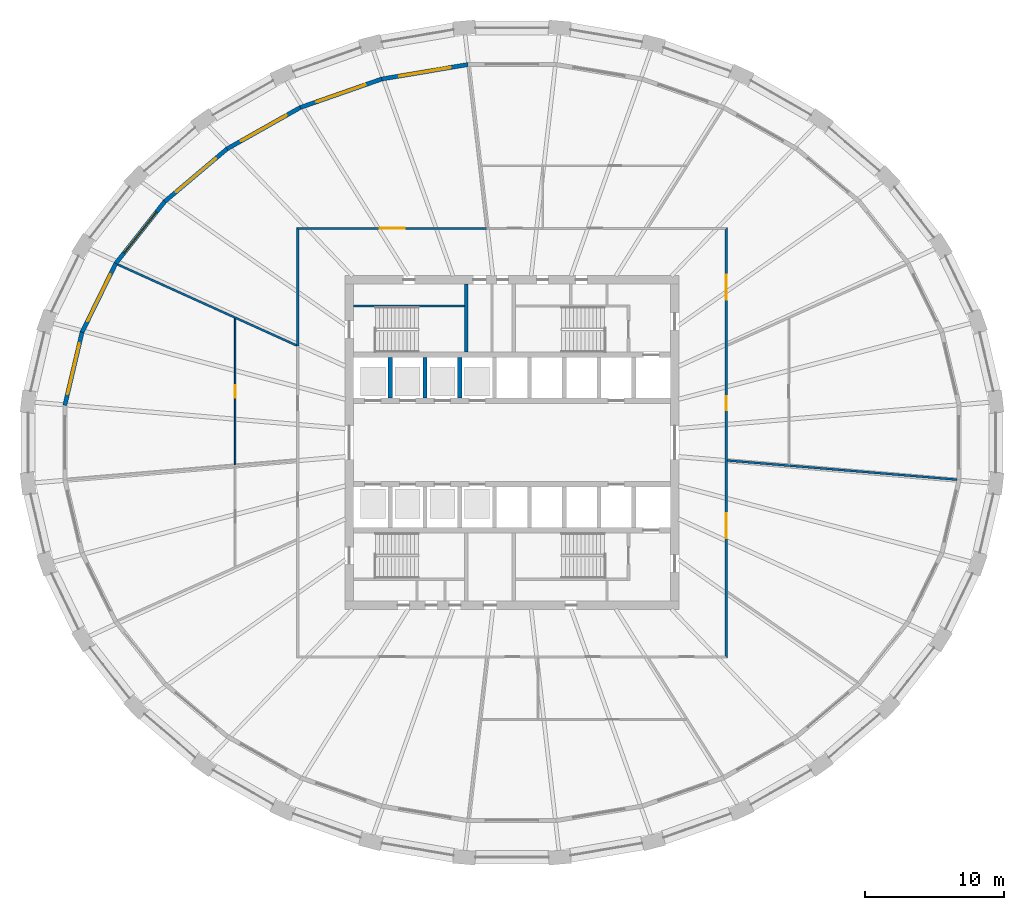
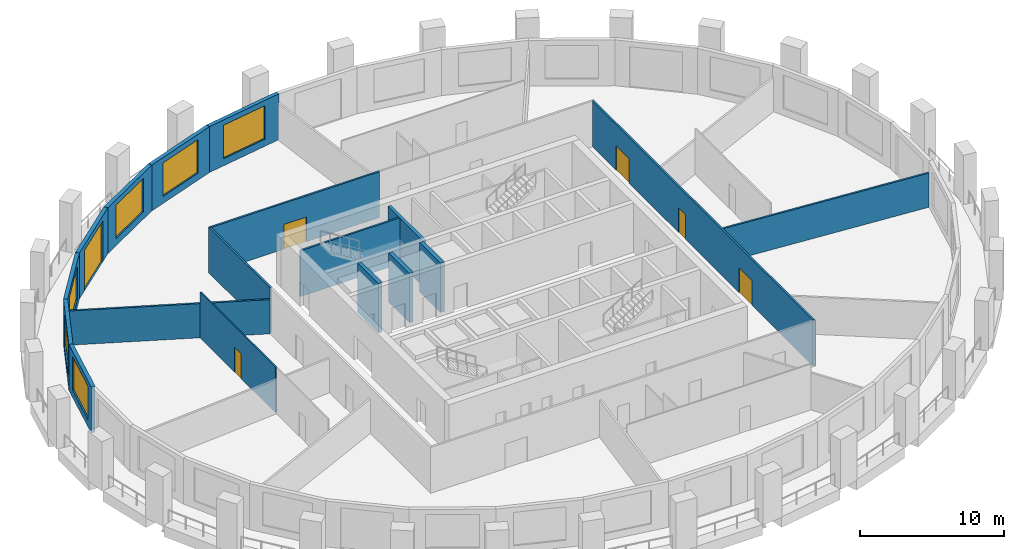
# One storey, part 5 of 10: 18 walls, 6 doors, 6 windows, 12 openings.
"""IFC4 building model written with IfcOpenShell, lengths in metres."""

import ifcopenshell
import ifcopenshell.guid

model = None  # the IFC model being written
_history = None  # IfcOwnerHistory: only IFC2X3 demands one
_inside = {}  # id of a spatial element -> (the spatial element, [elements in it])
_under = {}  # id of a project, library or spatial element -> (it, [spatial elements below it])
_declared = {}  # id of a project -> (the project, [libraries it declares])
_typed = {}  # id of a type object -> (the type object, [elements of that type])
_made_of = {}  # id of a material, layer set ... -> (it, [elements and type objects made of it])


def new_model(schema):
    """Start an empty IFC model of exactly this schema.

    Asked for "IFC4X3", IfcOpenShell would pick the latest addendum, in which some entities
    have other attributes; the version numbers below select the first issue.
    IFC2X3 requires an IfcOwnerHistory on every rooted entity: one is made here for all.
    """
    global model, _history
    if schema == "IFC4X3":
        model = ifcopenshell.file(schema_version=(4, 3, 0, 0))
    else:
        model = ifcopenshell.file(schema=schema)
    _inside.clear()
    _under.clear()
    _declared.clear()
    _typed.clear()
    _made_of.clear()
    _history = None
    if model.schema == "IFC2X3":
        org = make("IfcOrganization", Name="unknown")
        user = make(
            "IfcPersonAndOrganization",
            ThePerson=make("IfcPerson", FamilyName="unknown"),
            TheOrganization=org,
        )
        app = make(
            "IfcApplication",
            ApplicationDeveloper=org,
            Version="unknown",
            ApplicationFullName="unknown",
            ApplicationIdentifier="unknown",
        )
        _history = make(
            "IfcOwnerHistory",
            OwningUser=user,
            OwningApplication=app,
            ChangeAction="ADDED",
            CreationDate=0,
        )
    return model


def make(cls, **values):
    """One entity of the class cls with the attributes given. An attribute that is None is left unset."""
    return model.create_entity(
        cls, **{name: value for name, value in values.items() if value is not None}
    )


def rooted(cls, **values):
    """An entity with a GlobalId (a new one), such as an element, a storey or a relation."""
    return make(cls, GlobalId=ifcopenshell.guid.new(), OwnerHistory=_history, **values)


def si_unit(unit_type, name, prefix=None):
    """IfcSIUnit, for example si_unit("LENGTHUNIT", "METRE", prefix="MILLI")."""
    return make("IfcSIUnit", UnitType=unit_type, Prefix=prefix, Name=name)


def assignment(units):
    """IfcUnitAssignment: the units of a project."""
    return None if units is None else make("IfcUnitAssignment", Units=units)


def point(xyz):
    """IfcCartesianPoint."""
    return None if xyz is None else make("IfcCartesianPoint", Coordinates=xyz)


def direction(xyz):
    """IfcDirection."""
    return None if xyz is None else make("IfcDirection", DirectionRatios=xyz)


def frame(location, z_axis=None, x_axis=None):
    """IfcAxis2Placement3D, a coordinate frame: its origin and axes. An axis left out is left unset."""
    return make(
        "IfcAxis2Placement3D",
        Location=point(location),
        Axis=direction(z_axis),
        RefDirection=direction(x_axis),
    )


def frame_2d(location, x_axis=None):
    """IfcAxis2Placement2D, a coordinate frame in the plane: its origin and x axis."""
    return make(
        "IfcAxis2Placement2D", Location=point(location), RefDirection=direction(x_axis)
    )


def origin():
    """The frame at (0, 0, 0) with its axes left unset."""
    return frame((0.0, 0.0, 0.0))


def place(relative_to, where):
    """IfcLocalPlacement: puts the frame where relative to a parent placement (None: the world)."""
    return make(
        "IfcLocalPlacement", PlacementRelTo=relative_to, RelativePlacement=where
    )


def context(
    kind, dimensions, precision=None, world=None, true_north=None, identifier=None
):
    """IfcGeometricRepresentationContext, for example the 3D "Model" context."""
    return make(
        "IfcGeometricRepresentationContext",
        ContextIdentifier=identifier,
        ContextType=kind,
        CoordinateSpaceDimension=dimensions,
        Precision=precision,
        WorldCoordinateSystem=world,
        TrueNorth=true_north,
    )


def subcontext(parent, identifier, kind, view, scale=None):
    """IfcGeometricRepresentationSubContext, for example "Body" below "Model"."""
    return make(
        "IfcGeometricRepresentationSubContext",
        ContextIdentifier=identifier,
        ContextType=kind,
        ParentContext=parent,
        TargetScale=scale,
        TargetView=view,
    )


def project(units=None, contexts=None):
    """IfcProject with its units and contexts."""
    return rooted(
        "IfcProject",
        Name="project",
        RepresentationContexts=contexts,
        UnitsInContext=assignment(units),
    )


def spatial(cls, under=None, at=None, **own):
    """A site, building, storey or space (cls), placed at a placement, below another one or the project."""
    s = rooted(cls, ObjectPlacement=at, **own)
    if under is not None:
        _under.setdefault(under.id(), (under, []))[1].append(s)
    return s


def polyline(points):
    """IfcPolyline through the points."""
    return make("IfcPolyline", Points=[point(p) for p in points])


def profile(cls, at=None, kind="AREA", **sizes):
    """A parametric profile (cls). Its sizes go by their IFC names, for example OverallWidth=200.0."""
    return make(cls, ProfileType=kind, Position=at, **sizes)


def rectangle(**sizes):
    """IfcRectangleProfileDef."""
    return profile("IfcRectangleProfileDef", **sizes)


def outline(outer, holes=None, kind="AREA"):
    """IfcArbitraryClosedProfileDef: a profile drawn as a closed curve; with holes, ...WithVoids."""
    if holes is None:
        return make("IfcArbitraryClosedProfileDef", ProfileType=kind, OuterCurve=outer)
    return make(
        "IfcArbitraryProfileDefWithVoids",
        ProfileType=kind,
        OuterCurve=outer,
        InnerCurves=holes,
    )


def extrude(swept, where, along, depth):
    """IfcExtrudedAreaSolid: the profile swept, set in the frame where, extruded along a direction by depth."""
    return make(
        "IfcExtrudedAreaSolid",
        SweptArea=swept,
        Position=where,
        ExtrudedDirection=direction(along),
        Depth=depth,
    )


def shape(context_of_items, identifier, shape_type, items):
    """IfcShapeRepresentation: the items that make up one representation, for example the "Body"."""
    return make(
        "IfcShapeRepresentation",
        ContextOfItems=context_of_items,
        RepresentationIdentifier=identifier,
        RepresentationType=shape_type,
        Items=items,
    )


def material(Name=None, Category=None):
    """IfcMaterial."""
    return make("IfcMaterial", Name=Name, Category=Category)


def layer(
    of_material, thickness, ventilated=None, Name=None, Category=None, Priority=None
):
    """IfcMaterialLayer: one layer of a wall or slab, of a material (None: an air gap)."""
    return make(
        "IfcMaterialLayer",
        Material=of_material,
        LayerThickness=thickness,
        IsVentilated=ventilated,
        Name=Name,
        Category=Category,
        Priority=Priority,
    )


def layer_set(layers, Name=None):
    """IfcMaterialLayerSet."""
    return make("IfcMaterialLayerSet", MaterialLayers=layers, LayerSetName=Name)


def made_of(thing, what):
    """Note that an element or type object is made of a material, layer set ...; save() writes the relation."""
    if what is not None:
        _made_of.setdefault(what.id(), (what, []))[1].append(thing)
    return thing


def type_object(cls, material=None, **own):
    """A type object (cls), such as IfcWallType, which elements share."""
    return made_of(rooted(cls, **own), material)


def element(
    cls,
    number,
    at=None,
    inside=None,
    cuts=None,
    type_object=None,
    material=None,
    context=None,
    identifier="Body",
    shape_type=None,
    held_by="IfcProductDefinitionShape",
    body=None,
    shapes=None,
    **own,
):
    """One element of the class cls, such as IfcWall. Its Tag is "e" and its number.

    at: its placement. inside: the storey or other place that contains it. cuts: it is an
    opening in that element (IfcRelVoidsElement). A single representation is given by context,
    identifier, shape_type and body (its items); several are given by shapes. held_by: the class
    of the entity that holds the representations. save() writes the other relations.
    """
    e = rooted(cls, Tag="e%d" % number, ObjectPlacement=at, **own)
    if body is not None:
        shapes = [shape(context, identifier, shape_type, body)]
    if shapes is not None:
        e.Representation = make(held_by, Representations=shapes)
    if inside is not None:
        _inside.setdefault(inside.id(), (inside, []))[1].append(e)
    if cuts is not None:
        rooted(
            "IfcRelVoidsElement", RelatingBuildingElement=cuts, RelatedOpeningElement=e
        )
    if type_object is not None:
        _typed.setdefault(type_object.id(), (type_object, []))[1].append(e)
    return made_of(e, material)


def fill(opening, filler):
    """IfcRelFillsElement: the door or window that sits in an opening."""
    return rooted(
        "IfcRelFillsElement",
        RelatingOpeningElement=opening,
        RelatedBuildingElement=filler,
    )


def aggregate(whole, parts):
    """IfcRelAggregates: a whole, such as a stair, and the parts it consists of."""
    return rooted("IfcRelAggregates", RelatingObject=whole, RelatedObjects=parts)


def save(model, path):
    """Write the relations noted so far, then the file.

    IfcRelAggregates (storeys below a building ...), IfcRelContainedInSpatialStructure (elements
    in a storey), IfcRelDefinesByType, IfcRelAssociatesMaterial and IfcRelDeclares: one each for
    every whole, place, type object, material and project.
    """
    for whole, parts in _under.values():
        aggregate(whole, parts)
    for where, things in _inside.values():
        rooted(
            "IfcRelContainedInSpatialStructure",
            RelatedElements=things,
            RelatingStructure=where,
        )
    for kind, things in _typed.values():
        rooted("IfcRelDefinesByType", RelatedObjects=things, RelatingType=kind)
    for what, things in _made_of.values():
        rooted("IfcRelAssociatesMaterial", RelatedObjects=things, RelatingMaterial=what)
    for by, libraries in _declared.values():
        rooted("IfcRelDeclares", RelatingContext=by, RelatedDefinitions=libraries)
    model.write(path)


model = new_model("IFC4")

# Units and contexts
model_context = context("Model", 3, precision=1e-05, world=origin(), true_north=direction((0.0, 1.0)))
body_context = subcontext(model_context, "Body", "Model", "MODEL_VIEW")
ifc_project = project(units=[si_unit("LENGTHUNIT", "METRE"), si_unit("AREAUNIT", "SQUARE_METRE"), si_unit("VOLUMEUNIT", "CUBIC_METRE"), si_unit("PLANEANGLEUNIT", "RADIAN"), si_unit("MASSUNIT", "GRAM", prefix="KILO")], contexts=[model_context])

# Site, building, storey
site_placement = place(None, origin())
site = spatial("IfcSite", under=ifc_project, at=site_placement, CompositionType="ELEMENT")
building_placement = place(site_placement, origin())
building = spatial("IfcBuilding", under=site, at=building_placement, Name="Halqa Exchange Tower", CompositionType="ELEMENT")
storey_placement = place(building_placement, frame((0.0, 0.0, 117.10009765625)))
storey = spatial("IfcBuildingStorey", under=building, at=storey_placement, Name="L26", CompositionType="ELEMENT", Elevation=117.10009765625)

# Walls
ifc_material_1 = material(Name="Fire-rated gypsum board")
ifc_layer_1 = layer(ifc_material_1, 0.14990234375)
ifc_layer_set_1 = layer_set([ifc_layer_1], Name="Fire-rated gypsum board")
wall_type_1 = type_object("IfcWallType", Name="Fire partition EI 60 150", PredefinedType="PARTITIONING", material=ifc_layer_set_1)
wall_1_placement = place(storey_placement, frame((-28.351806640625, 12.80419921875, 0.0), z_axis=(0.0, 0.0, 1.0), x_axis=(0.91107802929, -0.412233943951, 0.0)))
element("IfcWall", 1, at=wall_1_placement, inside=storey, type_object=wall_type_1, Name="L26-PWL-002", PredefinedType="PARTITIONING", context=body_context, shape_type="SweptSolid", body=[
    extrude(outline(polyline([(0.0, -0.074951171875), (1.8720703125, -0.074951171875), (3.743896484375, -0.074951171875), (5.615966796875, -0.074951171875), (7.48779296875, -0.074951171875), (9.35986328125, -0.074951171875), (9.364501953125, -0.07275390625), (9.365478515625, -0.074951171875), (10.966064453125, -0.074951171875), (12.56689453125, -0.074951171875), (14.16748046875, -0.074951171875), (14.16748046875, -0.074951171875), (14.14501953125, -0.025390625), (14.099609375, 0.074951171875), (12.33984375, 0.074951171875), (10.580078125, 0.074951171875), (8.8203125, 0.074951171875), (7.060302734375, 0.074951171875), (5.300537109375, 0.074951171875), (3.540771484375, 0.074951171875), (1.781005859375, 0.074951171875), (0.021240234375, 0.074951171875), (0.001708984375, -0.003173828125), (0.0, -0.05859375), (0.0, -0.074951171875)])), origin(), (0.0, 0.0, 1.0), 2.909912109375),
])
wall_2_placement = place(storey_placement, frame((-15.39990234375, 6.949951171875, 0.0), z_axis=(0.0, 0.0, 1.0), x_axis=(0.0, 1.0, 0.0)))
element("IfcWall", 2, at=wall_2_placement, inside=storey, type_object=wall_type_1, Name="L26-PWL-008", PredefinedType="PARTITIONING", context=body_context, shape_type="SweptSolid", body=[
    extrude(outline(polyline([(0.0, -0.074951171875), (1.675048828125, -0.074951171875), (3.35009765625, -0.074951171875), (5.02490234375, -0.074951171875), (6.699951171875, -0.074951171875), (8.375, -0.074951171875), (8.52490234375, 0.074951171875), (6.81982421875, 0.074951171875), (5.114990234375, 0.074951171875), (3.409912109375, 0.074951171875), (1.705078125, 0.074951171875), (0.0, 0.074951171875), (0.0, -0.074951171875)])), origin(), (0.0, 0.0, 1.0), 3.89990234375),
])

# Wall, opening, door
wall_3_placement = place(storey_placement, frame((-15.47509765625, 15.39990234375, 0.0), z_axis=(0.0, 0.0, 1.0), x_axis=(1.0, 0.0, 0.0)))
wall_3 = element("IfcWall", 3, at=wall_3_placement, inside=storey, type_object=wall_type_1, Name="L26-PWL-009", PredefinedType="PARTITIONING", context=body_context, shape_type="SweptSolid", body=[
    extrude(outline(polyline([(13.675048828125, 0.074951171875), (11.721435546875, 0.074951171875), (9.76806640625, 0.074951171875), (7.814453125, 0.074951171875), (5.86083984375, 0.074951171875), (3.9072265625, 0.074951171875), (1.953857421875, 0.074951171875), (0.000244140625, 0.074951171875), (0.150146484375, -0.074951171875), (2.082275390625, -0.074951171875), (4.014404296875, -0.074951171875), (5.946533203125, -0.074951171875), (7.878662109375, -0.074951171875), (9.810791015625, -0.074951171875), (11.742919921875, -0.074951171875), (13.675048828125, -0.074951171875), (13.675048828125, 0.074951171875)])), origin(), (0.0, 0.0, 1.0), 3.89990234375),
])
opening_1_placement = place(wall_3_placement, frame((5.97509765625, 0.0, 0.0)))
opening_1 = element("IfcOpeningElement", 4, at=opening_1_placement, cuts=wall_3, Name="Opening 08-07", PredefinedType="OPENING", context=body_context, shape_type="SweptSolid", body=[
    extrude(rectangle(XDim=1.800048828125, YDim=2.10009765625, at=frame_2d((0.89990234375, 1.050048828125))), frame((0.0, 0.0869140625, 0.0), z_axis=(0.0, -1.0, 0.0), x_axis=(1.0, 0.0, 0.0)), (0.0, 0.0, 1.0), 0.173828125),
])
ifc_material_2 = material(Name="Steel fire door leaf", Category="steel")
door_type_1 = type_object("IfcDoorType", Name="Fire door FD30S double 1800 x 2100", OperationType="DOUBLE_DOOR_SINGLE_SWING", PredefinedType="DOOR", material=ifc_material_2)
door_1_placement = place(opening_1_placement, origin())
door_1 = element("IfcDoor", 5, at=door_1_placement, inside=storey, type_object=door_type_1, Name="L26-IDR-007", OperationType="DOUBLE_DOOR_SINGLE_SWING", OverallHeight=2.10009765625, OverallWidth=1.800048828125, PredefinedType="DOOR", context=body_context, shape_type="SweptSolid", body=[
    extrude(rectangle(XDim=1.800048828125, YDim=2.10009765625, at=frame_2d((0.89990234375, 1.050048828125))), frame((0.0, 0.02490234375, 0.0), z_axis=(0.0, -1.0, 0.0), x_axis=(1.0, 0.0, 0.0)), (0.0, 0.0, 1.0), 0.050048828125),
])
fill(opening_1, door_1)

# Wall, openings, doors
wall_4_placement = place(storey_placement, frame((15.39990234375, -15.47509765625, 0.0), z_axis=(0.0, 0.0, 1.0), x_axis=(0.0, 1.0, 0.0)))
wall_4 = element("IfcWall", 6, at=wall_4_placement, inside=storey, type_object=wall_type_1, Name="L26-PWL-020", PredefinedType="PARTITIONING", context=body_context, shape_type="SweptSolid", body=[
    extrude(outline(polyline([(0.000244140625, -0.074951171875), (1.9345703125, -0.074951171875), (3.868896484375, -0.074951171875), (5.80322265625, -0.074951171875), (7.73779296875, -0.074951171875), (9.672119140625, -0.074951171875), (11.6064453125, -0.074951171875), (13.540771484375, -0.074951171875), (15.47509765625, -0.074951171875), (17.409423828125, -0.074951171875), (19.34375, -0.074951171875), (21.278076171875, -0.074951171875), (23.21240234375, -0.074951171875), (25.14697265625, -0.074951171875), (27.081298828125, -0.074951171875), (29.015625, -0.074951171875), (30.949951171875, -0.074951171875), (30.800048828125, 0.074951171875), (28.884521484375, 0.074951171875), (26.96875, 0.074951171875), (25.05322265625, 0.074951171875), (23.1376953125, 0.074951171875), (21.221923828125, 0.074951171875), (19.306396484375, 0.074951171875), (17.390625, 0.074951171875), (15.47509765625, 0.074951171875), (13.5595703125, 0.074951171875), (11.643798828125, 0.074951171875), (9.728271484375, 0.074951171875), (7.8125, 0.074951171875), (5.89697265625, 0.074951171875), (3.9814453125, 0.074951171875), (2.065673828125, 0.074951171875), (0.150146484375, 0.074951171875), (0.000244140625, -0.074951171875)])), origin(), (0.0, 0.0, 1.0), 3.89990234375),
])
opening_2_placement = place(wall_4_placement, frame((8.594970703125, 0.0, 0.0)))
opening_2 = element("IfcOpeningElement", 7, at=opening_2_placement, cuts=wall_4, Name="Opening 08-02", PredefinedType="OPENING", context=body_context, shape_type="SweptSolid", body=[
    extrude(rectangle(XDim=1.800048828125, YDim=2.10009765625, at=frame_2d((0.89990234375, 1.050048828125))), frame((0.0, 0.0869140625, 0.0), z_axis=(0.0, -1.0, 0.0), x_axis=(1.0, 0.0, 0.0)), (0.0, 0.0, 1.0), 0.173828125),
])
opening_3_placement = place(wall_4_placement, frame((17.81005859375, 0.0, 0.0)))
opening_3 = element("IfcOpeningElement", 8, at=opening_3_placement, cuts=wall_4, Name="Opening 08-03", PredefinedType="OPENING", context=body_context, shape_type="SweptSolid", body=[
    extrude(rectangle(XDim=1.0, YDim=2.10009765625, at=frame_2d((0.5, 1.050048828125))), frame((0.0, 0.0869140625, 0.0), z_axis=(0.0, -1.0, 0.0), x_axis=(1.0, 0.0, 0.0)), (0.0, 0.0, 1.0), 0.173828125),
])
opening_4_placement = place(wall_4_placement, frame((25.75, 0.0, 0.0)))
opening_4 = element("IfcOpeningElement", 9, at=opening_4_placement, cuts=wall_4, Name="Opening 08-04", PredefinedType="OPENING", context=body_context, shape_type="SweptSolid", body=[
    extrude(rectangle(XDim=1.800048828125, YDim=2.10009765625, at=frame_2d((0.89990234375, 1.050048828125))), frame((0.0, 0.0869140625, 0.0), z_axis=(0.0, -1.0, 0.0), x_axis=(1.0, 0.0, 0.0)), (0.0, 0.0, 1.0), 0.173828125),
])
door_type_2 = type_object("IfcDoorType", Name="Fire door FD30S 1000 x 2100", OperationType="SINGLE_SWING_LEFT", PredefinedType="DOOR", material=ifc_material_2)
door_2_placement = place(opening_3_placement, frame((1.0, 0.0, 0.0), z_axis=(0.0, 0.0, 1.0), x_axis=(-1.0, 0.0, 0.0)))
door_2 = element("IfcDoor", 10, at=door_2_placement, inside=storey, type_object=door_type_2, Name="L26-IDR-003", OperationType="SINGLE_SWING_RIGHT", OverallHeight=2.10009765625, OverallWidth=1.0, PredefinedType="DOOR", context=body_context, shape_type="SweptSolid", body=[
    extrude(rectangle(XDim=1.0, YDim=2.10009765625, at=frame_2d((0.5, 1.050048828125))), frame((0.0, 0.02490234375, 0.0), z_axis=(0.0, -1.0, 0.0), x_axis=(1.0, 0.0, 0.0)), (0.0, 0.0, 1.0), 0.050048828125),
])
fill(opening_3, door_2)
door_3_placement = place(opening_2_placement, frame((1.800048828125, 0.0, 0.0), z_axis=(0.0, 0.0, 1.0), x_axis=(-1.0, 0.0, 0.0)))
door_3 = element("IfcDoor", 11, at=door_3_placement, inside=storey, type_object=door_type_1, Name="L26-IDR-002", OperationType="DOUBLE_DOOR_SINGLE_SWING", OverallHeight=2.10009765625, OverallWidth=1.800048828125, PredefinedType="DOOR", context=body_context, shape_type="SweptSolid", body=[
    extrude(rectangle(XDim=1.800048828125, YDim=2.10009765625, at=frame_2d((0.89990234375, 1.050048828125))), frame((0.0, 0.02490234375, 0.0), z_axis=(0.0, -1.0, 0.0), x_axis=(1.0, 0.0, 0.0)), (0.0, 0.0, 1.0), 0.050048828125),
])
fill(opening_2, door_3)
door_4_placement = place(opening_4_placement, frame((1.800048828125, 0.0, 0.0), z_axis=(0.0, 0.0, 1.0), x_axis=(-1.0, 0.0, 0.0)))
door_4 = element("IfcDoor", 12, at=door_4_placement, inside=storey, type_object=door_type_1, Name="L26-IDR-004", OperationType="DOUBLE_DOOR_SINGLE_SWING", OverallHeight=2.10009765625, OverallWidth=1.800048828125, PredefinedType="DOOR", context=body_context, shape_type="SweptSolid", body=[
    extrude(rectangle(XDim=1.800048828125, YDim=2.10009765625, at=frame_2d((0.89990234375, 1.050048828125))), frame((0.0, 0.02490234375, 0.0), z_axis=(0.0, -1.0, 0.0), x_axis=(1.0, 0.0, 0.0)), (0.0, 0.0, 1.0), 0.050048828125),
])
fill(opening_4, door_4)

# Wall
wall_5_placement = place(storey_placement, frame((15.46923828125, -1.285888671875, 0.0), z_axis=(0.0, 0.0, 1.0), x_axis=(0.996533353756, -0.083194199634, 0.0)))
element("IfcWall", 13, at=wall_5_placement, inside=storey, type_object=wall_type_1, Name="L26-PWL-022", PredefinedType="PARTITIONING", context=body_context, shape_type="SweptSolid", body=[
    extrude(outline(polyline([(0.011962890625, -0.074951171875), (1.8515625, -0.074951171875), (3.69140625, -0.074951171875), (5.531005859375, -0.074951171875), (7.37060546875, -0.074951171875), (9.210205078125, -0.074951171875), (11.0498046875, -0.074951171875), (12.8896484375, -0.074951171875), (14.729248046875, -0.074951171875), (16.56884765625, -0.074951171875), (16.574462890625, -0.037109375), (16.574462890625, 0.074951171875), (14.835693359375, 0.074951171875), (13.096923828125, 0.074951171875), (11.358154296875, 0.074951171875), (9.619384765625, 0.074951171875), (7.880615234375, 0.074951171875), (6.141845703125, 0.074951171875), (4.403076171875, 0.074951171875), (4.389892578125, 0.073974609375), (4.3896484375, 0.074951171875), (2.926513671875, 0.074951171875), (1.463134765625, 0.074951171875), (0.0, 0.074951171875), (0.0, 0.0693359375), (0.011962890625, -0.074951171875)])), origin(), (0.0, 0.0, 1.0), 2.909912109375),
])

# Wall, opening, door
ifc_material_3 = material(Name="Gypsum board")
ifc_layer_2 = layer(ifc_material_3, 0.10009765625)
ifc_layer_set_2 = layer_set([ifc_layer_2], Name="Gypsum board")
wall_type_2 = type_object("IfcWallType", Name="Partition 100 gypsum", PredefinedType="PARTITIONING", material=ifc_layer_set_2)
wall_6_placement = place(storey_placement, frame((-19.89990234375, -1.58447265625, 0.0), z_axis=(0.0, 0.0, 1.0), x_axis=(0.0, 1.0, 0.0)))
wall_6 = element("IfcWall", 14, at=wall_6_placement, inside=storey, type_object=wall_type_2, Name="L26-PWL-005", PredefinedType="PARTITIONING", context=body_context, shape_type="SweptSolid", body=[
    extrude(outline(polyline([(0.00830078125, -0.050048828125), (1.75, -0.050048828125), (3.491943359375, -0.050048828125), (5.23388671875, -0.050048828125), (6.9755859375, -0.050048828125), (8.717529296875, -0.050048828125), (10.45947265625, -0.050048828125), (10.50439453125, 0.04931640625), (10.50439453125, 0.050048828125), (8.753662109375, 0.050048828125), (7.0029296875, 0.050048828125), (5.252197265625, 0.050048828125), (3.50146484375, 0.050048828125), (1.750732421875, 0.050048828125), (0.0, 0.050048828125), (0.0, 0.048095703125), (0.00830078125, -0.050048828125)])), origin(), (0.0, 0.0, 1.0), 3.89990234375),
])
opening_5_placement = place(wall_6_placement, frame((4.79443359375, 0.0, 0.0)))
opening_5 = element("IfcOpeningElement", 15, at=opening_5_placement, cuts=wall_6, Name="Opening 08-15", PredefinedType="OPENING", context=body_context, shape_type="SweptSolid", body=[
    extrude(rectangle(XDim=0.89990234375, YDim=2.10009765625, at=frame_2d((0.449951171875, 1.050048828125))), frame((0.0, 0.06201171875, 0.0), z_axis=(0.0, -1.0, 0.0), x_axis=(1.0, 0.0, 0.0)), (0.0, 0.0, 1.0), 0.1240234375),
])
ifc_material_4 = material(Name="Timber door leaf", Category="wood")
door_type_3 = type_object("IfcDoorType", Name="Door 900 x 2100", OperationType="SINGLE_SWING_LEFT", PredefinedType="DOOR", material=ifc_material_4)
door_5_placement = place(opening_5_placement, frame((0.89990234375, 0.0, 0.0), z_axis=(0.0, 0.0, 1.0), x_axis=(-1.0, 0.0, 0.0)))
door_5 = element("IfcDoor", 16, at=door_5_placement, inside=storey, type_object=door_type_3, Name="L26-IDR-015", OperationType="SINGLE_SWING_RIGHT", OverallHeight=2.10009765625, OverallWidth=0.89990234375, PredefinedType="DOOR", context=body_context, shape_type="SweptSolid", body=[
    extrude(rectangle(XDim=0.89990234375, YDim=2.10009765625, at=frame_2d((0.449951171875, 1.050048828125))), frame((0.0, 0.02490234375, 0.0), z_axis=(0.0, -1.0, 0.0), x_axis=(1.0, 0.0, 0.0)), (0.0, 0.0, 1.0), 0.050048828125),
])
fill(opening_5, door_5)

# Walls
ifc_material_5 = material(Name="Concrete C60/75", Category="concrete")
ifc_layer_3 = layer(ifc_material_5, 0.300048828125)
ifc_layer_set_3 = layer_set([ifc_layer_3], Name="Concrete C60/75")
wall_type_3 = type_object("IfcWallType", Name="RC core wall 300", PredefinedType="SHEAR", material=ifc_layer_set_3)
for number, where, z_axis, x_axis, name in (
    (17, (-8.75, 3.199951171875, 0.0), (0.0, 0.0, 1.0), (0.0, 1.0, 0.0), "Shaft divider N1"),
    (18, (-6.25, 3.199951171875, 0.0), (0.0, 0.0, 1.0), (0.0, 1.0, 0.0), "Shaft divider N2"),
    (19, (-3.75, 3.199951171875, 0.0), (0.0, 0.0, 1.0), (0.0, 1.0, 0.0), "Shaft divider N3"),
):
    element("IfcWall", number, at=place(storey_placement, frame(where, z_axis=z_axis, x_axis=x_axis)), inside=storey, type_object=wall_type_3, Name=name, PredefinedType="SHEAR", context=body_context, shape_type="SweptSolid", body=[
        extrude(rectangle(XDim=2.900146484375, YDim=0.300048828125, at=frame_2d((1.4501953125, 0.0))), origin(), (0.0, 0.0, 1.0), 4.199951171875),
    ])
ifc_material_6 = material(Name="Concrete C30/37", Category="concrete")
ifc_layer_4 = layer(ifc_material_6, 0.14990234375)
ifc_layer_set_4 = layer_set([ifc_layer_4], Name="Concrete C30/37")
wall_type_4 = type_object("IfcWallType", Name="RC stair wall 150 C30/37", PredefinedType="SHEAR", material=ifc_layer_set_4)
wall_7_placement = place(storey_placement, frame((-11.39990234375, 9.824951171875, 0.0), z_axis=(0.0, 0.0, 1.0), x_axis=(1.0, 0.0, 0.0)))
element("IfcWall", 20, at=wall_7_placement, inside=storey, type_object=wall_type_4, Name="Stair ST1 north wall N", PredefinedType="SHEAR", context=body_context, shape_type="SweptSolid", body=[
    extrude(rectangle(XDim=8.0, YDim=0.14990234375, at=frame_2d((4.0, 0.0))), origin(), (0.0, 0.0, 1.0), 3.89990234375),
])
ifc_layer_5 = layer(ifc_material_6, 0.25)
ifc_layer_set_5 = layer_set([ifc_layer_5], Name="Concrete C30/37")
wall_type_5 = type_object("IfcWallType", Name="RC stair wall 250 C30/37", PredefinedType="SHEAR", material=ifc_layer_set_5)
wall_8_placement = place(storey_placement, frame((-3.27490234375, 6.5, 0.0), z_axis=(0.0, 0.0, 1.0), x_axis=(0.0, 1.0, 0.0)))
element("IfcWall", 21, at=wall_8_placement, inside=storey, type_object=wall_type_5, Name="Stair ST1 east wall N", PredefinedType="SHEAR", context=body_context, shape_type="SweptSolid", body=[
    extrude(rectangle(XDim=4.89990234375, YDim=0.25, at=frame_2d((2.449951171875, 0.0))), origin(), (0.0, 0.0, 1.0), 3.89990234375),
])

# Wall, opening, window
ifc_material_7 = material(Name="Limestone cladding", Category="masonry")
ifc_layer_6 = layer(ifc_material_7, 0.0400390625)
ifc_material_8 = material(Name="Ventilated cavity")
ifc_layer_7 = layer(ifc_material_8, 0.030029296875, ventilated=True)
ifc_material_9 = material(Name="Mineral wool insulation")
ifc_layer_8 = layer(ifc_material_9, 0.10009765625)
ifc_layer_9 = layer(ifc_material_6, 0.10009765625)
ifc_material_10 = material(Name="Internal plaster")
ifc_layer_10 = layer(ifc_material_10, 0.030029296875)
ifc_layer_set_6 = layer_set([ifc_layer_6, ifc_layer_7, ifc_layer_8, ifc_layer_9, ifc_layer_10], Name="Stone-faced insulated wall 300")
wall_type_6 = type_object("IfcWallType", Name="Stone-faced insulated wall 300", PredefinedType="STANDARD", material=ifc_layer_set_6)
wall_9_placement = place(storey_placement, frame((-3.16357421875, 27.174072265625, 0.0), z_axis=(0.0, 0.0, 1.0), x_axis=(-0.986176011722, -0.165701158427, 0.0)))
wall_9 = element("IfcWall", 22, at=wall_9_placement, inside=storey, type_object=wall_type_6, Name="Glass-line wall 9", PredefinedType="STANDARD", context=body_context, shape_type="SweptSolid", body=[
    extrude(outline(polyline([(-0.012451171875, -0.14990234375), (6.305419921875, -0.14990234375), (6.280029296875, 0.14990234375), (0.012451171875, 0.14990234375), (-0.012451171875, -0.14990234375)])), origin(), (0.0, 0.0, 1.0), 3.89990234375),
])
opening_6_placement = place(wall_9_placement, frame((1.271484375, 0.0, 0.60009765625)))
opening_6 = element("IfcOpeningElement", 23, at=opening_6_placement, cuts=wall_9, Name="Opening W-F2-09", PredefinedType="OPENING", context=body_context, shape_type="SweptSolid", body=[
    extrude(rectangle(XDim=3.75, YDim=2.85009765625, at=frame_2d((1.875, 1.425048828125))), frame((0.0, 0.162109375, 0.0), z_axis=(0.0, -1.0, 0.0), x_axis=(1.0, 0.0, 0.0)), (0.0, 0.0, 1.0), 0.323974609375),
])
ifc_material_11 = material(Name="Clear low-emissivity glass in aluminium frame", Category="aluminium")
window_type = type_object("IfcWindowType", Name="Fixed clear glazed window 3750 x 2850", PartitioningType="TRIPLE_PANEL_VERTICAL", PredefinedType="WINDOW", material=ifc_material_11)
window_1_placement = place(opening_6_placement, origin())
window_1 = element("IfcWindow", 24, at=window_1_placement, inside=storey, type_object=window_type, Name="Window 2", OverallHeight=2.85009765625, OverallWidth=3.75, PartitioningType="TRIPLE_PANEL_VERTICAL", PredefinedType="WINDOW", context=body_context, shape_type="SweptSolid", body=[
    extrude(rectangle(XDim=3.75, YDim=2.85009765625, at=frame_2d((1.875, 1.425048828125))), frame((0.0, 0.030029296875, 0.0), z_axis=(0.0, -1.0, 0.0), x_axis=(1.0, 0.0, 0.0)), (0.0, 0.0, 1.0), 0.06005859375),
])
fill(opening_6, window_1)

wall_10_placement = place(storey_placement, frame((-9.369384765625, 26.13134765625, 0.0), z_axis=(0.0, 0.0, 1.0), x_axis=(-0.94389706045, -0.330239820849, 0.0)))
wall_10 = element("IfcWall", 25, at=wall_10_placement, inside=storey, type_object=wall_type_6, Name="Glass-line wall 10", PredefinedType="STANDARD", context=body_context, shape_type="SweptSolid", body=[
    extrude(outline(polyline([(-0.0126953125, -0.14990234375), (6.207763671875, -0.14990234375), (6.180908203125, 0.14990234375), (0.0126953125, 0.14990234375), (-0.0126953125, -0.14990234375)])), origin(), (0.0, 0.0, 1.0), 3.89990234375),
])
opening_7_placement = place(wall_10_placement, frame((1.22216796875, 0.0, 0.60009765625)))
opening_7 = element("IfcOpeningElement", 26, at=opening_7_placement, cuts=wall_10, Name="Opening W-F2-10", PredefinedType="OPENING", context=body_context, shape_type="SweptSolid", body=[
    extrude(rectangle(XDim=3.75, YDim=2.85009765625, at=frame_2d((1.875, 1.425048828125))), frame((0.0, 0.162109375, 0.0), z_axis=(0.0, -1.0, 0.0), x_axis=(1.0, 0.0, 0.0)), (0.0, 0.0, 1.0), 0.323974609375),
])
window_2_placement = place(opening_7_placement, origin())
window_2 = element("IfcWindow", 27, at=window_2_placement, inside=storey, type_object=window_type, Name="Window 2", OverallHeight=2.85009765625, OverallWidth=3.75, PartitioningType="TRIPLE_PANEL_VERTICAL", PredefinedType="WINDOW", context=body_context, shape_type="SweptSolid", body=[
    extrude(rectangle(XDim=3.75, YDim=2.85009765625, at=frame_2d((1.875, 1.425048828125))), frame((0.0, 0.030029296875, 0.0), z_axis=(0.0, -1.0, 0.0), x_axis=(1.0, 0.0, 0.0)), (0.0, 0.0, 1.0), 0.06005859375),
])
fill(opening_7, window_2)

wall_11_placement = place(storey_placement, frame((-15.21630859375, 24.085693359375, 0.0), z_axis=(0.0, 0.0, 1.0), x_axis=(-0.870858332497, -0.491534093142, 0.0)))
wall_11 = element("IfcWall", 28, at=wall_11_placement, inside=storey, type_object=wall_type_6, Name="Glass-line wall 11", PredefinedType="STANDARD", context=body_context, shape_type="SweptSolid", body=[
    extrude(outline(polyline([(-0.013427734375, -0.14990234375), (6.058349609375, -0.14990234375), (6.030029296875, 0.14990234375), (0.013427734375, 0.14990234375), (-0.013427734375, -0.14990234375)])), origin(), (0.0, 0.0, 1.0), 3.89990234375),
])
opening_8_placement = place(wall_11_placement, frame((1.147216796875, 0.0, 0.60009765625)))
opening_8 = element("IfcOpeningElement", 29, at=opening_8_placement, cuts=wall_11, Name="Opening W-F2-11", PredefinedType="OPENING", context=body_context, shape_type="SweptSolid", body=[
    extrude(rectangle(XDim=3.75, YDim=2.85009765625, at=frame_2d((1.875, 1.425048828125))), frame((0.0, 0.162109375, 0.0), z_axis=(0.0, -1.0, 0.0), x_axis=(1.0, 0.0, 0.0)), (0.0, 0.0, 1.0), 0.323974609375),
])
window_3_placement = place(opening_8_placement, origin())
window_3 = element("IfcWindow", 30, at=window_3_placement, inside=storey, type_object=window_type, Name="Window 2", OverallHeight=2.85009765625, OverallWidth=3.75, PartitioningType="TRIPLE_PANEL_VERTICAL", PredefinedType="WINDOW", context=body_context, shape_type="SweptSolid", body=[
    extrude(rectangle(XDim=3.75, YDim=2.85009765625, at=frame_2d((1.875, 1.425048828125))), frame((0.0, 0.030029296875, 0.0), z_axis=(0.0, -1.0, 0.0), x_axis=(1.0, 0.0, 0.0)), (0.0, 0.0, 1.0), 0.06005859375),
])
fill(opening_8, window_3)

# Wall, opening, door
wall_12_placement = place(storey_placement, frame((-20.47998046875, 21.11474609375, 0.0), z_axis=(0.0, 0.0, 1.0), x_axis=(-0.763937302001, -0.645290476151, 0.0)))
wall_12 = element("IfcWall", 31, at=wall_12_placement, inside=storey, type_object=wall_type_6, Name="Glass-line wall 12", PredefinedType="STANDARD", context=body_context, shape_type="SweptSolid", body=[
    extrude(outline(polyline([(-0.01416015625, -0.14990234375), (5.87744140625, -0.14990234375), (5.84716796875, 0.14990234375), (0.01416015625, 0.14990234375), (-0.01416015625, -0.14990234375)])), origin(), (0.0, 0.0, 1.0), 3.89990234375),
])
opening_9_placement = place(wall_12_placement, frame((1.05615234375, 0.0, 0.0)))
opening_9 = element("IfcOpeningElement", 32, at=opening_9_placement, cuts=wall_12, Name="Opening LG-F2-03", PredefinedType="OPENING", context=body_context, shape_type="SweptSolid", body=[
    extrude(rectangle(XDim=3.75, YDim=3.449951171875, at=frame_2d((1.875, 1.72509765625))), frame((0.0, 0.162109375, 0.0), z_axis=(0.0, -1.0, 0.0), x_axis=(1.0, 0.0, 0.0)), (0.0, 0.0, 1.0), 0.323974609375),
])
door_type_4 = type_object("IfcDoorType", Name="Glazed sliding loggia door 3750 x 3450", OperationType="DOUBLE_DOOR_SLIDING", PredefinedType="DOOR", material=ifc_material_11)
door_6_placement = place(opening_9_placement, origin())
door_6 = element("IfcDoor", 33, at=door_6_placement, inside=storey, type_object=door_type_4, Name="Loggia door 3", OperationType="DOUBLE_DOOR_SLIDING", OverallHeight=3.449951171875, OverallWidth=3.75, PredefinedType="DOOR", context=body_context, shape_type="SweptSolid", body=[
    extrude(rectangle(XDim=3.75, YDim=3.449951171875, at=frame_2d((1.875, 1.72509765625))), frame((0.0, 0.02490234375, 0.0), z_axis=(0.0, -1.0, 0.0), x_axis=(1.0, 0.0, 0.0)), (0.0, 0.0, 1.0), 0.050048828125),
])
fill(opening_9, door_6)

# Wall, opening, window
wall_13_placement = place(storey_placement, frame((-24.95849609375, 17.331787109375, 0.0), z_axis=(0.0, 0.0, 1.0), x_axis=(-0.62038332391, -0.784298751379, 0.0)))
wall_13 = element("IfcWall", 34, at=wall_13_placement, inside=storey, type_object=wall_type_6, Name="Glass-line wall 13", PredefinedType="STANDARD", context=body_context, shape_type="SweptSolid", body=[
    extrude(outline(polyline([(-0.01513671875, -0.14990234375), (5.69091796875, -0.14990234375), (5.65869140625, 0.14990234375), (0.01513671875, 0.14990234375), (-0.01513671875, -0.14990234375)])), origin(), (0.0, 0.0, 1.0), 3.89990234375),
])
opening_10_placement = place(wall_13_placement, frame((0.96240234375, 0.0, 0.60009765625)))
opening_10 = element("IfcOpeningElement", 35, at=opening_10_placement, cuts=wall_13, Name="Opening W-F2-13", PredefinedType="OPENING", context=body_context, shape_type="SweptSolid", body=[
    extrude(rectangle(XDim=3.75, YDim=2.85009765625, at=frame_2d((1.875, 1.425048828125))), frame((0.0, 0.162109375, 0.0), z_axis=(0.0, -1.0, 0.0), x_axis=(1.0, 0.0, 0.0)), (0.0, 0.0, 1.0), 0.323974609375),
])
window_4_placement = place(opening_10_placement, origin())
window_4 = element("IfcWindow", 36, at=window_4_placement, inside=storey, type_object=window_type, Name="Window 2", OverallHeight=2.85009765625, OverallWidth=3.75, PartitioningType="TRIPLE_PANEL_VERTICAL", PredefinedType="WINDOW", context=body_context, shape_type="SweptSolid", body=[
    extrude(rectangle(XDim=3.75, YDim=2.85009765625, at=frame_2d((1.875, 1.425048828125))), frame((0.0, 0.030029296875, 0.0), z_axis=(0.0, -1.0, 0.0), x_axis=(1.0, 0.0, 0.0)), (0.0, 0.0, 1.0), 0.06005859375),
])
fill(opening_10, window_4)

wall_14_placement = place(storey_placement, frame((-28.47900390625, 12.881103515625, 0.0), z_axis=(0.0, 0.0, 1.0), x_axis=(-0.440306401535, -0.897847577692, 0.0)))
wall_14 = element("IfcWall", 37, at=wall_14_placement, inside=storey, type_object=wall_type_6, Name="Glass-line wall 14", PredefinedType="STANDARD", context=body_context, shape_type="SweptSolid", body=[
    extrude(outline(polyline([(-0.01611328125, -0.14990234375), (5.52734375, -0.14990234375), (5.49365234375, 0.14990234375), (0.01611328125, 0.14990234375), (-0.01611328125, -0.14990234375)])), origin(), (0.0, 0.0, 1.0), 3.89990234375),
])
opening_11_placement = place(wall_14_placement, frame((0.880126953125, 0.0, 0.60009765625)))
opening_11 = element("IfcOpeningElement", 38, at=opening_11_placement, cuts=wall_14, Name="Opening W-F2-14", PredefinedType="OPENING", context=body_context, shape_type="SweptSolid", body=[
    extrude(rectangle(XDim=3.75, YDim=2.85009765625, at=frame_2d((1.875, 1.425048828125))), frame((0.0, 0.162109375, 0.0), z_axis=(0.0, -1.0, 0.0), x_axis=(1.0, 0.0, 0.0)), (0.0, 0.0, 1.0), 0.323974609375),
])
window_5_placement = place(opening_11_placement, origin())
window_5 = element("IfcWindow", 39, at=window_5_placement, inside=storey, type_object=window_type, Name="Window 2", OverallHeight=2.85009765625, OverallWidth=3.75, PartitioningType="TRIPLE_PANEL_VERTICAL", PredefinedType="WINDOW", context=body_context, shape_type="SweptSolid", body=[
    extrude(rectangle(XDim=3.75, YDim=2.85009765625, at=frame_2d((1.875, 1.425048828125))), frame((0.0, 0.030029296875, 0.0), z_axis=(0.0, -1.0, 0.0), x_axis=(1.0, 0.0, 0.0)), (0.0, 0.0, 1.0), 0.06005859375),
])
fill(opening_11, window_5)

wall_15_placement = place(storey_placement, frame((-30.9052734375, 7.93359375, 0.0), z_axis=(0.0, 0.0, 1.0), x_axis=(-0.229200658045, -0.973379195561, 0.0)))
wall_15 = element("IfcWall", 40, at=wall_15_placement, inside=storey, type_object=wall_type_6, Name="Glass-line wall 15", PredefinedType="STANDARD", context=body_context, shape_type="SweptSolid", body=[
    extrude(outline(polyline([(-0.016845703125, -0.14990234375), (5.415771484375, -0.14990234375), (5.381103515625, 0.14990234375), (0.016845703125, 0.14990234375), (-0.016845703125, -0.14990234375)])), origin(), (0.0, 0.0, 1.0), 3.89990234375),
])
opening_12_placement = place(wall_15_placement, frame((0.82421875, 0.0, 0.60009765625)))
opening_12 = element("IfcOpeningElement", 41, at=opening_12_placement, cuts=wall_15, Name="Opening W-F2-15", PredefinedType="OPENING", context=body_context, shape_type="SweptSolid", body=[
    extrude(rectangle(XDim=3.75, YDim=2.85009765625, at=frame_2d((1.875, 1.425048828125))), frame((0.0, 0.162109375, 0.0), z_axis=(0.0, -1.0, 0.0), x_axis=(1.0, 0.0, 0.0)), (0.0, 0.0, 1.0), 0.323974609375),
])
window_6_placement = place(opening_12_placement, origin())
window_6 = element("IfcWindow", 42, at=window_6_placement, inside=storey, type_object=window_type, Name="Window 2", OverallHeight=2.85009765625, OverallWidth=3.75, PartitioningType="TRIPLE_PANEL_VERTICAL", PredefinedType="WINDOW", context=body_context, shape_type="SweptSolid", body=[
    extrude(rectangle(XDim=3.75, YDim=2.85009765625, at=frame_2d((1.875, 1.425048828125))), frame((0.0, 0.030029296875, 0.0), z_axis=(0.0, -1.0, 0.0), x_axis=(1.0, 0.0, 0.0)), (0.0, 0.0, 1.0), 0.06005859375),
])
fill(opening_12, window_6)

save(model, "model.ifc")
